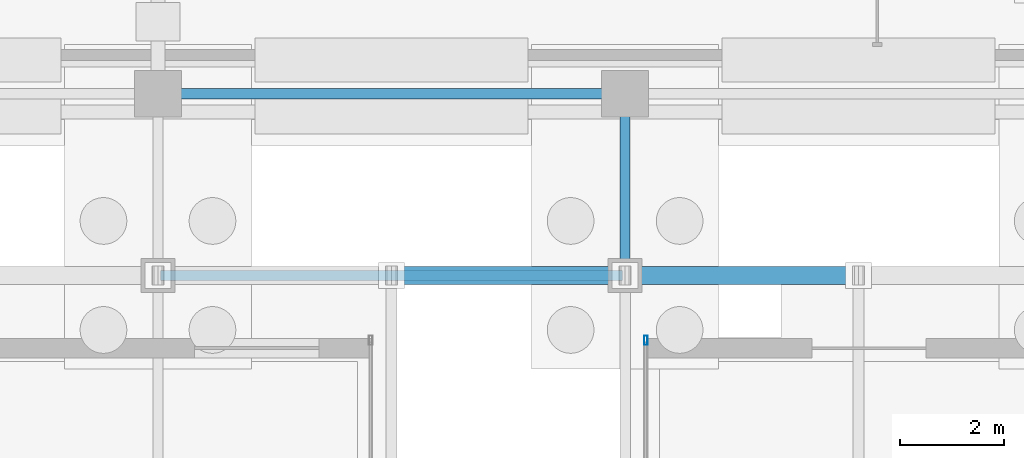
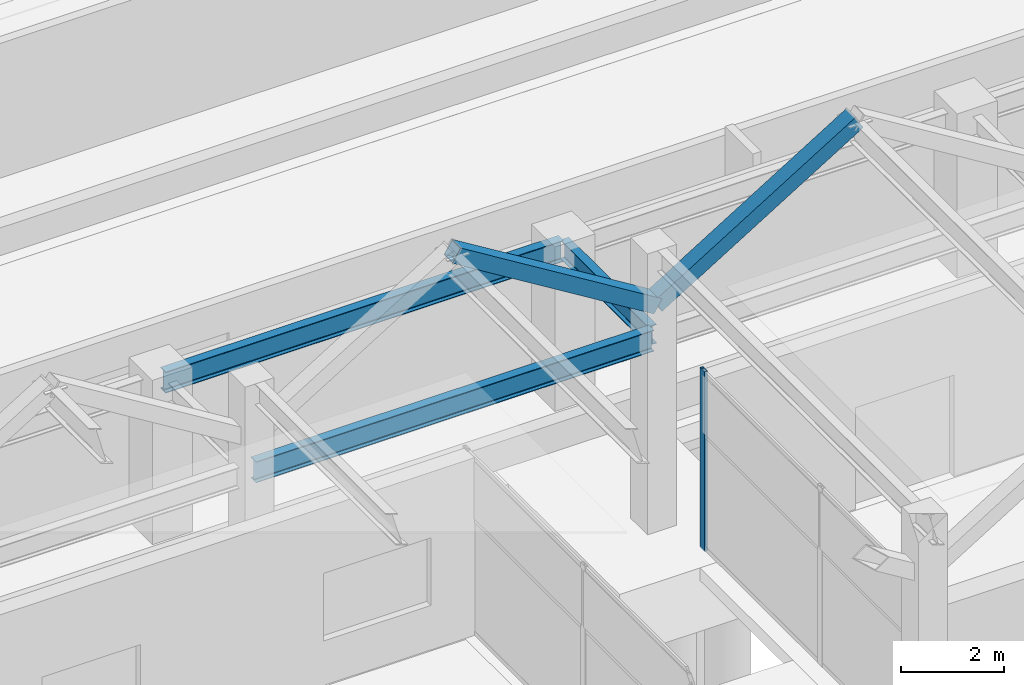
# One storey, part 60 of 160: 3 beams, 3 members, 1 element without a shape of its own.
"""IFC4 building model written with IfcOpenShell, lengths in metres."""

from ifc_helpers import new_model, si_unit, direction, frame, origin, origin_2d, place, context, subcontext, project, spatial, hollow_rectangle, i_section, extrude, material, layer, layer_set, material_profile, profile_set, type_object, element, aggregate, save


model = new_model("IFC4")

# Units and contexts
model_context = context("Model", 3, precision=1e-05, world=origin(), true_north=direction((0.0, 1.0)))
body_context = subcontext(model_context, "Body", "Model", "MODEL_VIEW")
ifc_project = project(units=[si_unit("LENGTHUNIT", "METRE"), si_unit("AREAUNIT", "SQUARE_METRE"), si_unit("VOLUMEUNIT", "CUBIC_METRE"), si_unit("PLANEANGLEUNIT", "RADIAN"), si_unit("MASSUNIT", "GRAM", prefix="KILO")], contexts=[model_context])

# Site, building, storey
site_placement = place(None, origin())
site = spatial("IfcSite", under=ifc_project, at=site_placement, CompositionType="ELEMENT")
building_placement = place(site_placement, origin())
building = spatial("IfcBuilding", under=site, at=building_placement, Name="Marlcrest Central Station", CompositionType="ELEMENT")
storey_placement = place(building_placement, origin())
storey = spatial("IfcBuildingStorey", under=building, at=storey_placement, Name="L00", CompositionType="ELEMENT", Elevation=0.0)

# Beams
ifc_material_1 = material(Name="Steel S355", Category="steel")
ifc_material_profile_1 = material_profile(ifc_material_1, i_section(OverallWidth=0.18994140625, OverallDepth=0.449951171875, WebThickness=0.009521484375, FlangeThickness=0.0146484375, FilletRadius=0.02099609375, at=origin_2d()), Name="IPE 450")
ifc_profile_set_1 = profile_set([ifc_material_profile_1], Name="Steel S355")
beam_type_1 = type_object("IfcBeamType", Name="BM-04", PredefinedType="BEAM", material=ifc_profile_set_1)
beam_placement = place(storey_placement, frame((45.0, 33.050048828125, 4.385009765625), z_axis=(0.0, 1.0, 0.0), x_axis=(-1.0, 0.0, 0.0)))
element("IfcBeam", 1, at=beam_placement, inside=storey, type_object=beam_type_1, Name="bm-BM-04-L00-01078", PredefinedType="BEAM", context=body_context, shape_type="SweptSolid", body=[
    extrude(i_section(OverallWidth=0.18994140625, OverallDepth=0.449951171875, WebThickness=0.009521484375, FlangeThickness=0.0146484375, FilletRadius=0.02099609375, at=origin_2d()), origin(), (0.0, 0.0, 1.0), 3.39990234375),
])
ifc_material_profile_2 = material_profile(ifc_material_1, i_section(OverallWidth=0.199951171875, OverallDepth=0.5, WebThickness=0.01025390625, FlangeThickness=0.01611328125, FilletRadius=0.02099609375, at=origin_2d()), Name="IPE 500")
ifc_profile_set_2 = profile_set([ifc_material_profile_2], Name="Steel S355")
beam_type_2 = type_object("IfcBeamType", Name="BM-05", PredefinedType="BEAM", material=ifc_profile_set_2)
for number, where, z_axis, x_axis, name in (
    (2, (36.050048828125, 33.0, 4.360107421875), (1.0, 0.0, 0.0), (0.0, 1.0, 0.0), "bm-BM-05-L00-01075"),
    (3, (36.050048828125, 36.5, 4.360107421875), (1.0, 0.0, 0.0), (0.0, 1.0, 0.0), "bm-BM-05-L00-01076"),
):
    element("IfcBeam", number, at=place(storey_placement, frame(where, z_axis=z_axis, x_axis=x_axis)), inside=storey, type_object=beam_type_2, Name=name, PredefinedType="BEAM", context=body_context, shape_type="SweptSolid", body=[
        extrude(i_section(OverallWidth=0.199951171875, OverallDepth=0.5, WebThickness=0.01025390625, FlangeThickness=0.01611328125, FilletRadius=0.02099609375, at=origin_2d()), origin(), (0.0, 0.0, 1.0), 8.89990234375),
    ])

# Curtain wall, member
ifc_material_2 = material(Name="Anodised aluminium and hurricane laminated glass", Category="aluminium")
ifc_layer = layer(ifc_material_2, 0.179931640625, Name="CW-S1")
ifc_layer_set = layer_set([ifc_layer], Name="Anodised aluminium and hurricane laminated glass")
curtain_wall_type = type_object("IfcCurtainWallType", Name="CW-S1", PredefinedType="USERDEFINED", material=ifc_layer_set)
curtain_wall_placement = place(storey_placement, origin())
curtain_wall = element("IfcCurtainWall", 4, at=curtain_wall_placement, inside=storey, type_object=curtain_wall_type, Name="cw-L00-0147", ObjectType="STICK_CURTAIN_WALL", PredefinedType="USERDEFINED")
ifc_material_3 = material(Name="Anodised aluminium 6063-T6", Category="aluminium")
ifc_material_profile_3 = material_profile(ifc_material_3, hollow_rectangle(XDim=0.070068359375, YDim=0.179931640625, WallThickness=0.0048828125, at=origin_2d()), Name="AA-RHS 180x70x5")
ifc_profile_set_3 = profile_set([ifc_material_profile_3], Name="Anodised aluminium 6063-T6")
member_type_1 = type_object("IfcMemberType", Name="ML-02", PredefinedType="MULLION", material=ifc_profile_set_3)
member_placement = place(storey_placement, frame((45.39990234375, 31.75, -0.030029296875), z_axis=(0.0, 0.0, 1.0), x_axis=(1.0, 0.0, 0.0)))
member = element("IfcMember", 5, at=member_placement, type_object=member_type_1, Name="cw-L00-0147-ml-2", PredefinedType="MULLION", context=body_context, shape_type="SweptSolid", body=[
    extrude(hollow_rectangle(XDim=0.070068359375, YDim=0.179931640625, WallThickness=0.0048828125, at=origin_2d()), origin(), (0.0, 0.0, 1.0), 4.260009765625),
])
aggregate(curtain_wall, [member])

# Members
ifc_material_profile_4 = material_profile(ifc_material_1, hollow_rectangle(XDim=0.35009765625, YDim=0.35009765625, WallThickness=0.01611328125, at=origin_2d()), Name="SHS 350x350x16")
ifc_profile_set_4 = profile_set([ifc_material_profile_4], Name="Steel S355")
member_type_2 = type_object("IfcMemberType", Name="ST-02", PredefinedType="STRUT", material=ifc_profile_set_4)
for number, where, z_axis, x_axis, name in (
    (6, (45.0, 33.0, 5.199951171875), (-0.851591684043, 0.0, 0.524205688322), (0.0, -1.0, 0.0), "mem-ST-02-L00-00048"),
    (7, (45.0, 33.0, 5.199951171875), (0.851591684043, 0.0, 0.524205688322), (0.0, 1.0, 0.0), "mem-ST-02-L00-00053"),
):
    element("IfcMember", number, at=place(storey_placement, frame(where, z_axis=z_axis, x_axis=x_axis)), inside=storey, type_object=member_type_2, Name=name, PredefinedType="STRUT", context=body_context, shape_type="SweptSolid", body=[
        extrude(hollow_rectangle(XDim=0.35009765625, YDim=0.35009765625, WallThickness=0.01611328125, at=origin_2d()), origin(), (0.0, 0.0, 1.0), 5.2841796875),
    ])

save(model, "model.ifc")
